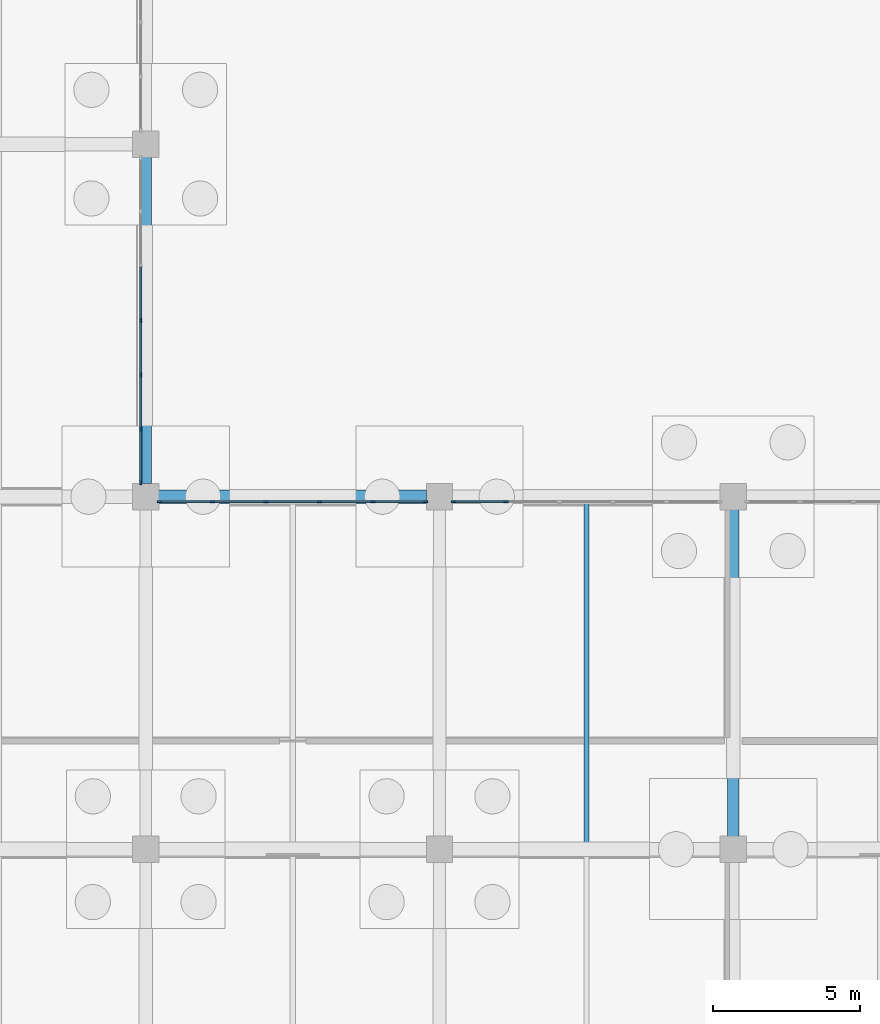
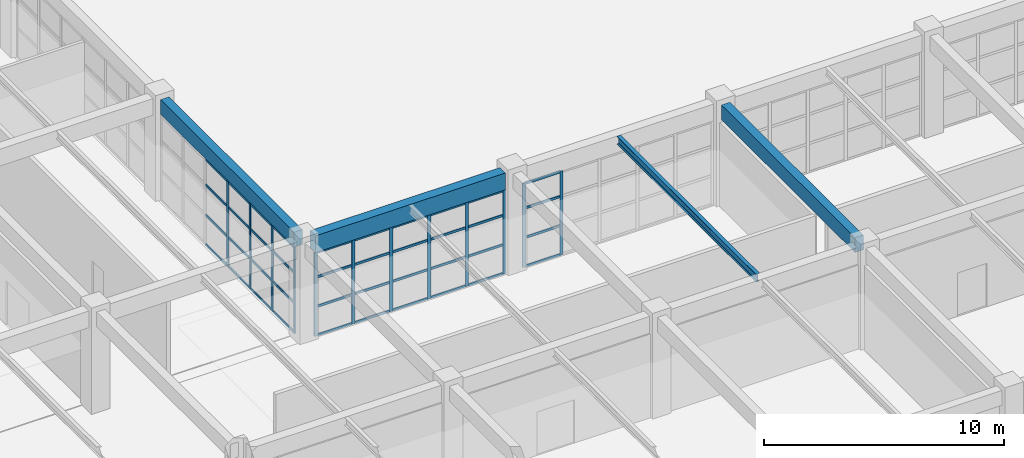
# One storey, part 54 of 99: 52 members, 4 beams, 3 elements without a shape of their own.
"""IFC4 building model written with IfcOpenShell, lengths in metres."""

from ifc_helpers import new_model, si_unit, direction, frame, origin, origin_2d, place, context, subcontext, project, spatial, rectangle, i_section, extrude, material, layer, layer_set, material_profile, profile_set, type_object, element, aggregate, save


model = new_model("IFC4")

# Units and contexts
model_context = context("Model", 3, precision=1e-05, world=origin(), true_north=direction((0.0, 1.0)))
body_context = subcontext(model_context, "Body", "Model", "MODEL_VIEW")
ifc_project = project(units=[si_unit("LENGTHUNIT", "METRE"), si_unit("AREAUNIT", "SQUARE_METRE"), si_unit("VOLUMEUNIT", "CUBIC_METRE"), si_unit("PLANEANGLEUNIT", "RADIAN"), si_unit("MASSUNIT", "GRAM", prefix="KILO")], contexts=[model_context])

# Site, building, storey
site_placement = place(None, origin())
site = spatial("IfcSite", under=ifc_project, at=site_placement, CompositionType="ELEMENT")
building_placement = place(site_placement, origin())
building = spatial("IfcBuilding", under=site, at=building_placement, Name="Kivolera Central Railway Station", CompositionType="ELEMENT")
storey_placement = place(building_placement, origin())
storey = spatial("IfcBuildingStorey", under=building, at=storey_placement, Name="L00", CompositionType="ELEMENT", Elevation=0.0)

# Beams
ifc_material_1 = material(Name="Steel S355", Category="steel")
ifc_material_profile_1 = material_profile(ifc_material_1, i_section(OverallWidth=0.179931640625, OverallDepth=0.39990234375, WebThickness=0.008544921875, FlangeThickness=0.013427734375, FilletRadius=0.02099609375, at=origin_2d()), Name="IPE 400")
ifc_profile_set_1 = profile_set([ifc_material_profile_1], Name="Steel S355")
beam_type_1 = type_object("IfcBeamType", Name="BM-JST-IPE400", PredefinedType="JOIST", material=ifc_profile_set_1)
beam_1_placement = place(storey_placement, frame((153.0, 66.217041015625, 4.907958984375), z_axis=(0.0, 1.0, 0.0), x_axis=(-1.0, 0.0, 0.0)))
element("IfcBeam", 1, at=beam_1_placement, inside=storey, type_object=beam_type_1, Name="L00 Floor Joist 15-16/F-G", PredefinedType="JOIST", context=body_context, shape_type="SweptSolid", body=[
    extrude(i_section(OverallWidth=0.179931640625, OverallDepth=0.39990234375, WebThickness=0.008544921875, FlangeThickness=0.013427734375, FilletRadius=0.02099609375, at=origin_2d()), origin(), (0.0, 0.0, 1.0), 11.56591796875),
])
ifc_material_2 = material(Name="Concrete C40/50", Category="concrete")
ifc_material_profile_2 = material_profile(ifc_material_2, rectangle(XDim=0.39990234375, YDim=0.75, at=origin_2d()), Name="RC 400x750")
ifc_profile_set_2 = profile_set([ifc_material_profile_2], Name="Concrete C40/50")
beam_type_2 = type_object("IfcBeamType", Name="BM-RC-400x750", PredefinedType="BEAM", material=ifc_profile_set_2)
for number, where, z_axis, x_axis, name in (
    (2, (138.0, 78.44189453125, 4.7451171875), (0.0, 1.0, 0.0), (-1.0, 0.0, 0.0), "L00 Wing Y-Beam 14:G-H"),
    (3, (158.0, 66.44189453125, 4.7451171875), (0.0, 1.0, 0.0), (-1.0, 0.0, 0.0), "L00 Wing Y-Beam 16:F-G"),
):
    element("IfcBeam", number, at=place(storey_placement, frame(where, z_axis=z_axis, x_axis=x_axis)), inside=storey, type_object=beam_type_2, Name=name, PredefinedType="BEAM", context=body_context, shape_type="SweptSolid", body=[
        extrude(rectangle(XDim=0.39990234375, YDim=0.75, at=origin_2d()), origin(), (0.0, 0.0, 1.0), 11.1162109375),
    ])
ifc_material_profile_3 = material_profile(ifc_material_2, rectangle(XDim=0.449951171875, YDim=0.85009765625, at=origin_2d()), Name="RC 450x850")
ifc_profile_set_3 = profile_set([ifc_material_profile_3], Name="Concrete C40/50")
beam_type_3 = type_object("IfcBeamType", Name="BM-RC-450x850", PredefinedType="BEAM", material=ifc_profile_set_3)
beam_2_placement = place(storey_placement, frame((138.44189453125, 78.0, 4.695068359375), z_axis=(1.0, 0.0, 0.0), x_axis=(0.0, 1.0, 0.0)))
element("IfcBeam", 4, at=beam_2_placement, inside=storey, type_object=beam_type_3, Name="L00 Wing X-Beam G:14-15", PredefinedType="BEAM", context=body_context, shape_type="SweptSolid", body=[
    extrude(rectangle(XDim=0.449951171875, YDim=0.85009765625, at=origin_2d()), origin(), (0.0, 0.0, 1.0), 9.1162109375),
])

# Curtain wall, members
ifc_material_3 = material(Name="Anodised aluminium", Category="aluminium")
ifc_layer_1 = layer(ifc_material_3, 0.179931640625, Name="Anodised aluminium")
ifc_layer_set_1 = layer_set([ifc_layer_1], Name="Anodised aluminium")
curtain_wall_type_1 = type_object("IfcCurtainWallType", Name="CW-SYS-22", PredefinedType="NOTDEFINED", material=ifc_layer_set_1)
curtain_wall_1_placement = place(storey_placement, origin())
curtain_wall_1 = element("IfcCurtainWall", 5, at=curtain_wall_1_placement, inside=storey, type_object=curtain_wall_type_1, Name="L00 Curtain Wall CW-L00-CRTW-G", PredefinedType="NOTDEFINED")
ifc_material_profile_4 = material_profile(ifc_material_3, rectangle(XDim=0.06005859375, YDim=0.14990234375, at=origin_2d()), Name="ALU MULL 60x150")
ifc_profile_set_4 = profile_set([ifc_material_profile_4], Name="Anodised aluminium")
member_type_1 = type_object("IfcMemberType", Name="CWM-MUL-2", PredefinedType="MULLION", material=ifc_profile_set_4)
member_1_placement = place(storey_placement, frame((137.830078125, 84.0, -0.0048828125), z_axis=(0.0, 0.0, 1.0), x_axis=(1.0, 0.0, 0.0)))
member_1 = element("IfcMember", 6, at=member_1_placement, type_object=member_type_1, Name="CW-22 mullion 4", PredefinedType="MULLION", context=body_context, shape_type="SweptSolid", body=[
    extrude(rectangle(XDim=0.06005859375, YDim=0.14990234375, at=origin_2d()), origin(), (0.0, 0.0, 1.0), 4.36279296875),
])
member_2_placement = place(storey_placement, frame((137.830078125, 82.1484375, -0.0048828125), z_axis=(0.0, 0.0, 1.0), x_axis=(1.0, 0.0, 0.0)))
member_2 = element("IfcMember", 7, at=member_2_placement, type_object=member_type_1, Name="CW-22 mullion 5", PredefinedType="MULLION", context=body_context, shape_type="SweptSolid", body=[
    extrude(rectangle(XDim=0.06005859375, YDim=0.14990234375, at=origin_2d()), origin(), (0.0, 0.0, 1.0), 4.36279296875),
])
member_3_placement = place(storey_placement, frame((137.830078125, 80.296630859375, -0.0048828125), z_axis=(0.0, 0.0, 1.0), x_axis=(1.0, 0.0, 0.0)))
member_3 = element("IfcMember", 8, at=member_3_placement, type_object=member_type_1, Name="CW-22 mullion 6", PredefinedType="MULLION", context=body_context, shape_type="SweptSolid", body=[
    extrude(rectangle(XDim=0.06005859375, YDim=0.14990234375, at=origin_2d()), origin(), (0.0, 0.0, 1.0), 4.36279296875),
])
member_4_placement = place(storey_placement, frame((137.830078125, 78.47509765625, -0.0048828125), z_axis=(0.0, 0.0, 1.0), x_axis=(1.0, 0.0, 0.0)))
member_4 = element("IfcMember", 9, at=member_4_placement, type_object=member_type_1, Name="CW-22 mullion 7", PredefinedType="MULLION", context=body_context, shape_type="SweptSolid", body=[
    extrude(rectangle(XDim=0.06005859375, YDim=0.14990234375, at=origin_2d()), origin(), (0.0, 0.0, 1.0), 4.36279296875),
])

ifc_layer_2 = layer(ifc_material_3, 0.179931640625, Name="Anodised aluminium")
ifc_layer_set_2 = layer_set([ifc_layer_2], Name="Anodised aluminium")
curtain_wall_type_2 = type_object("IfcCurtainWallType", Name="CW-SYS-21", PredefinedType="NOTDEFINED", material=ifc_layer_set_2)
curtain_wall_2_placement = place(storey_placement, origin())
curtain_wall_2 = element("IfcCurtainWall", 10, at=curtain_wall_2_placement, inside=storey, type_object=curtain_wall_type_2, Name="L00 Curtain Wall CW-L00-CRTS-138", PredefinedType="NOTDEFINED")
member_5_placement = place(storey_placement, frame((138.47509765625, 77.830078125, -0.0048828125), z_axis=(0.0, 0.0, 1.0), x_axis=(0.0, 1.0, 0.0)))
member_5 = element("IfcMember", 11, at=member_5_placement, type_object=member_type_1, Name="CW-21 mullion 1", PredefinedType="MULLION", context=body_context, shape_type="SweptSolid", body=[
    extrude(rectangle(XDim=0.06005859375, YDim=0.14990234375, at=origin_2d()), origin(), (0.0, 0.0, 1.0), 4.262939453125),
])
member_6_placement = place(storey_placement, frame((140.26708984375, 77.830078125, -0.0048828125), z_axis=(0.0, 0.0, 1.0), x_axis=(0.0, 1.0, 0.0)))
member_6 = element("IfcMember", 12, at=member_6_placement, type_object=member_type_1, Name="CW-21 mullion 2", PredefinedType="MULLION", context=body_context, shape_type="SweptSolid", body=[
    extrude(rectangle(XDim=0.06005859375, YDim=0.14990234375, at=origin_2d()), origin(), (0.0, 0.0, 1.0), 4.262939453125),
])
member_7_placement = place(storey_placement, frame((142.089111328125, 77.830078125, -0.0048828125), z_axis=(0.0, 0.0, 1.0), x_axis=(0.0, 1.0, 0.0)))
member_7 = element("IfcMember", 13, at=member_7_placement, type_object=member_type_1, Name="CW-21 mullion 3", PredefinedType="MULLION", context=body_context, shape_type="SweptSolid", body=[
    extrude(rectangle(XDim=0.06005859375, YDim=0.14990234375, at=origin_2d()), origin(), (0.0, 0.0, 1.0), 4.262939453125),
])
member_8_placement = place(storey_placement, frame((143.910888671875, 77.830078125, -0.0048828125), z_axis=(0.0, 0.0, 1.0), x_axis=(0.0, 1.0, 0.0)))
member_8 = element("IfcMember", 14, at=member_8_placement, type_object=member_type_1, Name="CW-21 mullion 4", PredefinedType="MULLION", context=body_context, shape_type="SweptSolid", body=[
    extrude(rectangle(XDim=0.06005859375, YDim=0.14990234375, at=origin_2d()), origin(), (0.0, 0.0, 1.0), 4.262939453125),
])
member_9_placement = place(storey_placement, frame((145.73291015625, 77.830078125, -0.0048828125), z_axis=(0.0, 0.0, 1.0), x_axis=(0.0, 1.0, 0.0)))
member_9 = element("IfcMember", 15, at=member_9_placement, type_object=member_type_1, Name="CW-21 mullion 5", PredefinedType="MULLION", context=body_context, shape_type="SweptSolid", body=[
    extrude(rectangle(XDim=0.06005859375, YDim=0.14990234375, at=origin_2d()), origin(), (0.0, 0.0, 1.0), 4.262939453125),
])
member_10_placement = place(storey_placement, frame((147.52490234375, 77.830078125, -0.0048828125), z_axis=(0.0, 0.0, 1.0), x_axis=(0.0, 1.0, 0.0)))
member_10 = element("IfcMember", 16, at=member_10_placement, type_object=member_type_1, Name="CW-21 mullion 6", PredefinedType="MULLION", context=body_context, shape_type="SweptSolid", body=[
    extrude(rectangle(XDim=0.06005859375, YDim=0.14990234375, at=origin_2d()), origin(), (0.0, 0.0, 1.0), 4.262939453125),
])

curtain_wall_3_placement = place(storey_placement, origin())
curtain_wall_3 = element("IfcCurtainWall", 17, at=curtain_wall_3_placement, inside=storey, type_object=curtain_wall_type_2, Name="L00 Curtain Wall CW-L00-CRTS-148", PredefinedType="NOTDEFINED")
member_11_placement = place(storey_placement, frame((148.47509765625, 77.830078125, -0.0048828125), z_axis=(0.0, 0.0, 1.0), x_axis=(0.0, 1.0, 0.0)))
member_11 = element("IfcMember", 18, at=member_11_placement, type_object=member_type_1, Name="CW-21 mullion 1", PredefinedType="MULLION", context=body_context, shape_type="SweptSolid", body=[
    extrude(rectangle(XDim=0.06005859375, YDim=0.14990234375, at=origin_2d()), origin(), (0.0, 0.0, 1.0), 4.262939453125),
])
member_12_placement = place(storey_placement, frame((150.26708984375, 77.830078125, -0.0048828125), z_axis=(0.0, 0.0, 1.0), x_axis=(0.0, 1.0, 0.0)))
member_12 = element("IfcMember", 19, at=member_12_placement, type_object=member_type_1, Name="CW-21 mullion 2", PredefinedType="MULLION", context=body_context, shape_type="SweptSolid", body=[
    extrude(rectangle(XDim=0.06005859375, YDim=0.14990234375, at=origin_2d()), origin(), (0.0, 0.0, 1.0), 4.262939453125),
])

# Member
ifc_material_profile_5 = material_profile(ifc_material_3, rectangle(XDim=0.06005859375, YDim=0.1201171875, at=origin_2d()), Name="ALU TRAN 60x120")
ifc_profile_set_5 = profile_set([ifc_material_profile_5], Name="Anodised aluminium")
member_type_2 = type_object("IfcMemberType", Name="CWM-TRN-2", PredefinedType="USERDEFINED", material=ifc_profile_set_5)
member_13_placement = place(storey_placement, frame((137.830078125, 85.82177734375, 0.030029296875), z_axis=(0.0, -1.0, 0.0), x_axis=(1.0, 0.0, 0.0)))
member_13 = element("IfcMember", 20, at=member_13_placement, type_object=member_type_2, Name="CW-22 transom 3.1", ObjectType="TRANSOM", PredefinedType="USERDEFINED", context=body_context, shape_type="SweptSolid", body=[
    extrude(rectangle(XDim=0.06005859375, YDim=0.1201171875, at=origin_2d()), origin(), (0.0, 0.0, 1.0), 1.791748046875),
])

member_14_placement = place(storey_placement, frame((137.830078125, 85.82177734375, 1.525390625), z_axis=(0.0, -1.0, 0.0), x_axis=(1.0, 0.0, 0.0)))
member_14 = element("IfcMember", 21, at=member_14_placement, type_object=member_type_2, Name="CW-22 transom 3.2", ObjectType="TRANSOM", PredefinedType="USERDEFINED", context=body_context, shape_type="SweptSolid", body=[
    extrude(rectangle(XDim=0.06005859375, YDim=0.1201171875, at=origin_2d()), origin(), (0.0, 0.0, 1.0), 1.791748046875),
])

member_15_placement = place(storey_placement, frame((137.830078125, 85.82177734375, 3.050537109375), z_axis=(0.0, -1.0, 0.0), x_axis=(1.0, 0.0, 0.0)))
member_15 = element("IfcMember", 22, at=member_15_placement, type_object=member_type_2, Name="CW-22 transom 3.3", ObjectType="TRANSOM", PredefinedType="USERDEFINED", context=body_context, shape_type="SweptSolid", body=[
    extrude(rectangle(XDim=0.06005859375, YDim=0.1201171875, at=origin_2d()), origin(), (0.0, 0.0, 1.0), 1.791748046875),
])

member_16_placement = place(storey_placement, frame((137.830078125, 85.82177734375, 4.327880859375), z_axis=(0.0, -1.0, 0.0), x_axis=(1.0, 0.0, 0.0)))
member_16 = element("IfcMember", 23, at=member_16_placement, type_object=member_type_2, Name="CW-22 transom 3.4", ObjectType="TRANSOM", PredefinedType="USERDEFINED", context=body_context, shape_type="SweptSolid", body=[
    extrude(rectangle(XDim=0.06005859375, YDim=0.1201171875, at=origin_2d()), origin(), (0.0, 0.0, 1.0), 1.791748046875),
])

member_17_placement = place(storey_placement, frame((137.830078125, 83.969970703125, 0.030029296875), z_axis=(0.0, -1.0, 0.0), x_axis=(1.0, 0.0, 0.0)))
member_17 = element("IfcMember", 24, at=member_17_placement, type_object=member_type_2, Name="CW-22 transom 4.1", ObjectType="TRANSOM", PredefinedType="USERDEFINED", context=body_context, shape_type="SweptSolid", body=[
    extrude(rectangle(XDim=0.06005859375, YDim=0.1201171875, at=origin_2d()), origin(), (0.0, 0.0, 1.0), 1.791748046875),
])

member_18_placement = place(storey_placement, frame((137.830078125, 83.969970703125, 1.525390625), z_axis=(0.0, -1.0, 0.0), x_axis=(1.0, 0.0, 0.0)))
member_18 = element("IfcMember", 25, at=member_18_placement, type_object=member_type_2, Name="CW-22 transom 4.2", ObjectType="TRANSOM", PredefinedType="USERDEFINED", context=body_context, shape_type="SweptSolid", body=[
    extrude(rectangle(XDim=0.06005859375, YDim=0.1201171875, at=origin_2d()), origin(), (0.0, 0.0, 1.0), 1.791748046875),
])

member_19_placement = place(storey_placement, frame((137.830078125, 83.969970703125, 3.050537109375), z_axis=(0.0, -1.0, 0.0), x_axis=(1.0, 0.0, 0.0)))
member_19 = element("IfcMember", 26, at=member_19_placement, type_object=member_type_2, Name="CW-22 transom 4.3", ObjectType="TRANSOM", PredefinedType="USERDEFINED", context=body_context, shape_type="SweptSolid", body=[
    extrude(rectangle(XDim=0.06005859375, YDim=0.1201171875, at=origin_2d()), origin(), (0.0, 0.0, 1.0), 1.791748046875),
])

member_20_placement = place(storey_placement, frame((137.830078125, 83.969970703125, 4.327880859375), z_axis=(0.0, -1.0, 0.0), x_axis=(1.0, 0.0, 0.0)))
member_20 = element("IfcMember", 27, at=member_20_placement, type_object=member_type_2, Name="CW-22 transom 4.4", ObjectType="TRANSOM", PredefinedType="USERDEFINED", context=body_context, shape_type="SweptSolid", body=[
    extrude(rectangle(XDim=0.06005859375, YDim=0.1201171875, at=origin_2d()), origin(), (0.0, 0.0, 1.0), 1.791748046875),
])

member_21_placement = place(storey_placement, frame((137.830078125, 82.118408203125, 0.030029296875), z_axis=(0.0, -1.0, 0.0), x_axis=(1.0, 0.0, 0.0)))
member_21 = element("IfcMember", 28, at=member_21_placement, type_object=member_type_2, Name="CW-22 transom 5.1", ObjectType="TRANSOM", PredefinedType="USERDEFINED", context=body_context, shape_type="SweptSolid", body=[
    extrude(rectangle(XDim=0.06005859375, YDim=0.1201171875, at=origin_2d()), origin(), (0.0, 0.0, 1.0), 1.791748046875),
])

member_22_placement = place(storey_placement, frame((137.830078125, 82.118408203125, 1.525390625), z_axis=(0.0, -1.0, 0.0), x_axis=(1.0, 0.0, 0.0)))
member_22 = element("IfcMember", 29, at=member_22_placement, type_object=member_type_2, Name="CW-22 transom 5.2", ObjectType="TRANSOM", PredefinedType="USERDEFINED", context=body_context, shape_type="SweptSolid", body=[
    extrude(rectangle(XDim=0.06005859375, YDim=0.1201171875, at=origin_2d()), origin(), (0.0, 0.0, 1.0), 1.791748046875),
])

member_23_placement = place(storey_placement, frame((137.830078125, 82.118408203125, 3.050537109375), z_axis=(0.0, -1.0, 0.0), x_axis=(1.0, 0.0, 0.0)))
member_23 = element("IfcMember", 30, at=member_23_placement, type_object=member_type_2, Name="CW-22 transom 5.3", ObjectType="TRANSOM", PredefinedType="USERDEFINED", context=body_context, shape_type="SweptSolid", body=[
    extrude(rectangle(XDim=0.06005859375, YDim=0.1201171875, at=origin_2d()), origin(), (0.0, 0.0, 1.0), 1.791748046875),
])

member_24_placement = place(storey_placement, frame((137.830078125, 82.118408203125, 4.327880859375), z_axis=(0.0, -1.0, 0.0), x_axis=(1.0, 0.0, 0.0)))
member_24 = element("IfcMember", 31, at=member_24_placement, type_object=member_type_2, Name="CW-22 transom 5.4", ObjectType="TRANSOM", PredefinedType="USERDEFINED", context=body_context, shape_type="SweptSolid", body=[
    extrude(rectangle(XDim=0.06005859375, YDim=0.1201171875, at=origin_2d()), origin(), (0.0, 0.0, 1.0), 1.791748046875),
])

member_25_placement = place(storey_placement, frame((137.830078125, 80.2666015625, 0.030029296875), z_axis=(0.0, -1.0, 0.0), x_axis=(1.0, 0.0, 0.0)))
member_25 = element("IfcMember", 32, at=member_25_placement, type_object=member_type_2, Name="CW-22 transom 6.1", ObjectType="TRANSOM", PredefinedType="USERDEFINED", context=body_context, shape_type="SweptSolid", body=[
    extrude(rectangle(XDim=0.06005859375, YDim=0.1201171875, at=origin_2d()), origin(), (0.0, 0.0, 1.0), 1.76171875),
])

member_26_placement = place(storey_placement, frame((137.830078125, 80.2666015625, 1.525390625), z_axis=(0.0, -1.0, 0.0), x_axis=(1.0, 0.0, 0.0)))
member_26 = element("IfcMember", 33, at=member_26_placement, type_object=member_type_2, Name="CW-22 transom 6.2", ObjectType="TRANSOM", PredefinedType="USERDEFINED", context=body_context, shape_type="SweptSolid", body=[
    extrude(rectangle(XDim=0.06005859375, YDim=0.1201171875, at=origin_2d()), origin(), (0.0, 0.0, 1.0), 1.76171875),
])

member_27_placement = place(storey_placement, frame((137.830078125, 80.2666015625, 3.050537109375), z_axis=(0.0, -1.0, 0.0), x_axis=(1.0, 0.0, 0.0)))
member_27 = element("IfcMember", 34, at=member_27_placement, type_object=member_type_2, Name="CW-22 transom 6.3", ObjectType="TRANSOM", PredefinedType="USERDEFINED", context=body_context, shape_type="SweptSolid", body=[
    extrude(rectangle(XDim=0.06005859375, YDim=0.1201171875, at=origin_2d()), origin(), (0.0, 0.0, 1.0), 1.76171875),
])

member_28_placement = place(storey_placement, frame((137.830078125, 80.2666015625, 4.327880859375), z_axis=(0.0, -1.0, 0.0), x_axis=(1.0, 0.0, 0.0)))
member_28 = element("IfcMember", 35, at=member_28_placement, type_object=member_type_2, Name="CW-22 transom 6.4", ObjectType="TRANSOM", PredefinedType="USERDEFINED", context=body_context, shape_type="SweptSolid", body=[
    extrude(rectangle(XDim=0.06005859375, YDim=0.1201171875, at=origin_2d()), origin(), (0.0, 0.0, 1.0), 1.76171875),
])

aggregate(curtain_wall_1, [member_1, member_2, member_3, member_4, member_13, member_14, member_15, member_16, member_17, member_18, member_19, member_20, member_21, member_22, member_23, member_24, member_25, member_26, member_27, member_28])

member_29_placement = place(storey_placement, frame((138.5048828125, 77.830078125, 0.030029296875), z_axis=(1.0, 0.0, 0.0), x_axis=(0.0, 1.0, 0.0)))
member_29 = element("IfcMember", 36, at=member_29_placement, type_object=member_type_2, Name="CW-21 transom 1.1", ObjectType="TRANSOM", PredefinedType="USERDEFINED", context=body_context, shape_type="SweptSolid", body=[
    extrude(rectangle(XDim=0.06005859375, YDim=0.1201171875, at=origin_2d()), origin(), (0.0, 0.0, 1.0), 1.732177734375),
])

member_30_placement = place(storey_placement, frame((138.5048828125, 77.830078125, 1.490234375), z_axis=(1.0, 0.0, 0.0), x_axis=(0.0, 1.0, 0.0)))
member_30 = element("IfcMember", 37, at=member_30_placement, type_object=member_type_2, Name="CW-21 transom 1.2", ObjectType="TRANSOM", PredefinedType="USERDEFINED", context=body_context, shape_type="SweptSolid", body=[
    extrude(rectangle(XDim=0.06005859375, YDim=0.1201171875, at=origin_2d()), origin(), (0.0, 0.0, 1.0), 1.732177734375),
])

member_31_placement = place(storey_placement, frame((138.5048828125, 77.830078125, 2.980712890625), z_axis=(1.0, 0.0, 0.0), x_axis=(0.0, 1.0, 0.0)))
member_31 = element("IfcMember", 38, at=member_31_placement, type_object=member_type_2, Name="CW-21 transom 1.3", ObjectType="TRANSOM", PredefinedType="USERDEFINED", context=body_context, shape_type="SweptSolid", body=[
    extrude(rectangle(XDim=0.06005859375, YDim=0.1201171875, at=origin_2d()), origin(), (0.0, 0.0, 1.0), 1.732177734375),
])

member_32_placement = place(storey_placement, frame((138.5048828125, 77.830078125, 4.22802734375), z_axis=(1.0, 0.0, 0.0), x_axis=(0.0, 1.0, 0.0)))
member_32 = element("IfcMember", 39, at=member_32_placement, type_object=member_type_2, Name="CW-21 transom 1.4", ObjectType="TRANSOM", PredefinedType="USERDEFINED", context=body_context, shape_type="SweptSolid", body=[
    extrude(rectangle(XDim=0.06005859375, YDim=0.1201171875, at=origin_2d()), origin(), (0.0, 0.0, 1.0), 1.732177734375),
])

member_33_placement = place(storey_placement, frame((140.297119140625, 77.830078125, 0.030029296875), z_axis=(1.0, 0.0, 0.0), x_axis=(0.0, 1.0, 0.0)))
member_33 = element("IfcMember", 40, at=member_33_placement, type_object=member_type_2, Name="CW-21 transom 2.1", ObjectType="TRANSOM", PredefinedType="USERDEFINED", context=body_context, shape_type="SweptSolid", body=[
    extrude(rectangle(XDim=0.06005859375, YDim=0.1201171875, at=origin_2d()), origin(), (0.0, 0.0, 1.0), 1.761962890625),
])

member_34_placement = place(storey_placement, frame((140.297119140625, 77.830078125, 1.490234375), z_axis=(1.0, 0.0, 0.0), x_axis=(0.0, 1.0, 0.0)))
member_34 = element("IfcMember", 41, at=member_34_placement, type_object=member_type_2, Name="CW-21 transom 2.2", ObjectType="TRANSOM", PredefinedType="USERDEFINED", context=body_context, shape_type="SweptSolid", body=[
    extrude(rectangle(XDim=0.06005859375, YDim=0.1201171875, at=origin_2d()), origin(), (0.0, 0.0, 1.0), 1.761962890625),
])

member_35_placement = place(storey_placement, frame((140.297119140625, 77.830078125, 2.980712890625), z_axis=(1.0, 0.0, 0.0), x_axis=(0.0, 1.0, 0.0)))
member_35 = element("IfcMember", 42, at=member_35_placement, type_object=member_type_2, Name="CW-21 transom 2.3", ObjectType="TRANSOM", PredefinedType="USERDEFINED", context=body_context, shape_type="SweptSolid", body=[
    extrude(rectangle(XDim=0.06005859375, YDim=0.1201171875, at=origin_2d()), origin(), (0.0, 0.0, 1.0), 1.761962890625),
])

member_36_placement = place(storey_placement, frame((140.297119140625, 77.830078125, 4.22802734375), z_axis=(1.0, 0.0, 0.0), x_axis=(0.0, 1.0, 0.0)))
member_36 = element("IfcMember", 43, at=member_36_placement, type_object=member_type_2, Name="CW-21 transom 2.4", ObjectType="TRANSOM", PredefinedType="USERDEFINED", context=body_context, shape_type="SweptSolid", body=[
    extrude(rectangle(XDim=0.06005859375, YDim=0.1201171875, at=origin_2d()), origin(), (0.0, 0.0, 1.0), 1.761962890625),
])

member_37_placement = place(storey_placement, frame((142.118896484375, 77.830078125, 0.030029296875), z_axis=(1.0, 0.0, 0.0), x_axis=(0.0, 1.0, 0.0)))
member_37 = element("IfcMember", 44, at=member_37_placement, type_object=member_type_2, Name="CW-21 transom 3.1", ObjectType="TRANSOM", PredefinedType="USERDEFINED", context=body_context, shape_type="SweptSolid", body=[
    extrude(rectangle(XDim=0.06005859375, YDim=0.1201171875, at=origin_2d()), origin(), (0.0, 0.0, 1.0), 1.76220703125),
])

member_38_placement = place(storey_placement, frame((142.118896484375, 77.830078125, 1.490234375), z_axis=(1.0, 0.0, 0.0), x_axis=(0.0, 1.0, 0.0)))
member_38 = element("IfcMember", 45, at=member_38_placement, type_object=member_type_2, Name="CW-21 transom 3.2", ObjectType="TRANSOM", PredefinedType="USERDEFINED", context=body_context, shape_type="SweptSolid", body=[
    extrude(rectangle(XDim=0.06005859375, YDim=0.1201171875, at=origin_2d()), origin(), (0.0, 0.0, 1.0), 1.76220703125),
])

member_39_placement = place(storey_placement, frame((142.118896484375, 77.830078125, 2.980712890625), z_axis=(1.0, 0.0, 0.0), x_axis=(0.0, 1.0, 0.0)))
member_39 = element("IfcMember", 46, at=member_39_placement, type_object=member_type_2, Name="CW-21 transom 3.3", ObjectType="TRANSOM", PredefinedType="USERDEFINED", context=body_context, shape_type="SweptSolid", body=[
    extrude(rectangle(XDim=0.06005859375, YDim=0.1201171875, at=origin_2d()), origin(), (0.0, 0.0, 1.0), 1.76220703125),
])

member_40_placement = place(storey_placement, frame((142.118896484375, 77.830078125, 4.22802734375), z_axis=(1.0, 0.0, 0.0), x_axis=(0.0, 1.0, 0.0)))
member_40 = element("IfcMember", 47, at=member_40_placement, type_object=member_type_2, Name="CW-21 transom 3.4", ObjectType="TRANSOM", PredefinedType="USERDEFINED", context=body_context, shape_type="SweptSolid", body=[
    extrude(rectangle(XDim=0.06005859375, YDim=0.1201171875, at=origin_2d()), origin(), (0.0, 0.0, 1.0), 1.76220703125),
])

member_41_placement = place(storey_placement, frame((143.94091796875, 77.830078125, 0.030029296875), z_axis=(1.0, 0.0, 0.0), x_axis=(0.0, 1.0, 0.0)))
member_41 = element("IfcMember", 48, at=member_41_placement, type_object=member_type_2, Name="CW-21 transom 4.1", ObjectType="TRANSOM", PredefinedType="USERDEFINED", context=body_context, shape_type="SweptSolid", body=[
    extrude(rectangle(XDim=0.06005859375, YDim=0.1201171875, at=origin_2d()), origin(), (0.0, 0.0, 1.0), 1.761962890625),
])

member_42_placement = place(storey_placement, frame((143.94091796875, 77.830078125, 1.490234375), z_axis=(1.0, 0.0, 0.0), x_axis=(0.0, 1.0, 0.0)))
member_42 = element("IfcMember", 49, at=member_42_placement, type_object=member_type_2, Name="CW-21 transom 4.2", ObjectType="TRANSOM", PredefinedType="USERDEFINED", context=body_context, shape_type="SweptSolid", body=[
    extrude(rectangle(XDim=0.06005859375, YDim=0.1201171875, at=origin_2d()), origin(), (0.0, 0.0, 1.0), 1.761962890625),
])

member_43_placement = place(storey_placement, frame((143.94091796875, 77.830078125, 2.980712890625), z_axis=(1.0, 0.0, 0.0), x_axis=(0.0, 1.0, 0.0)))
member_43 = element("IfcMember", 50, at=member_43_placement, type_object=member_type_2, Name="CW-21 transom 4.3", ObjectType="TRANSOM", PredefinedType="USERDEFINED", context=body_context, shape_type="SweptSolid", body=[
    extrude(rectangle(XDim=0.06005859375, YDim=0.1201171875, at=origin_2d()), origin(), (0.0, 0.0, 1.0), 1.761962890625),
])

member_44_placement = place(storey_placement, frame((143.94091796875, 77.830078125, 4.22802734375), z_axis=(1.0, 0.0, 0.0), x_axis=(0.0, 1.0, 0.0)))
member_44 = element("IfcMember", 51, at=member_44_placement, type_object=member_type_2, Name="CW-21 transom 4.4", ObjectType="TRANSOM", PredefinedType="USERDEFINED", context=body_context, shape_type="SweptSolid", body=[
    extrude(rectangle(XDim=0.06005859375, YDim=0.1201171875, at=origin_2d()), origin(), (0.0, 0.0, 1.0), 1.761962890625),
])

member_45_placement = place(storey_placement, frame((145.762939453125, 77.830078125, 0.030029296875), z_axis=(1.0, 0.0, 0.0), x_axis=(0.0, 1.0, 0.0)))
member_45 = element("IfcMember", 52, at=member_45_placement, type_object=member_type_2, Name="CW-21 transom 5.1", ObjectType="TRANSOM", PredefinedType="USERDEFINED", context=body_context, shape_type="SweptSolid", body=[
    extrude(rectangle(XDim=0.06005859375, YDim=0.1201171875, at=origin_2d()), origin(), (0.0, 0.0, 1.0), 1.732177734375),
])

member_46_placement = place(storey_placement, frame((145.762939453125, 77.830078125, 1.490234375), z_axis=(1.0, 0.0, 0.0), x_axis=(0.0, 1.0, 0.0)))
member_46 = element("IfcMember", 53, at=member_46_placement, type_object=member_type_2, Name="CW-21 transom 5.2", ObjectType="TRANSOM", PredefinedType="USERDEFINED", context=body_context, shape_type="SweptSolid", body=[
    extrude(rectangle(XDim=0.06005859375, YDim=0.1201171875, at=origin_2d()), origin(), (0.0, 0.0, 1.0), 1.732177734375),
])

member_47_placement = place(storey_placement, frame((145.762939453125, 77.830078125, 2.980712890625), z_axis=(1.0, 0.0, 0.0), x_axis=(0.0, 1.0, 0.0)))
member_47 = element("IfcMember", 54, at=member_47_placement, type_object=member_type_2, Name="CW-21 transom 5.3", ObjectType="TRANSOM", PredefinedType="USERDEFINED", context=body_context, shape_type="SweptSolid", body=[
    extrude(rectangle(XDim=0.06005859375, YDim=0.1201171875, at=origin_2d()), origin(), (0.0, 0.0, 1.0), 1.732177734375),
])

member_48_placement = place(storey_placement, frame((145.762939453125, 77.830078125, 4.22802734375), z_axis=(1.0, 0.0, 0.0), x_axis=(0.0, 1.0, 0.0)))
member_48 = element("IfcMember", 55, at=member_48_placement, type_object=member_type_2, Name="CW-21 transom 5.4", ObjectType="TRANSOM", PredefinedType="USERDEFINED", context=body_context, shape_type="SweptSolid", body=[
    extrude(rectangle(XDim=0.06005859375, YDim=0.1201171875, at=origin_2d()), origin(), (0.0, 0.0, 1.0), 1.732177734375),
])

aggregate(curtain_wall_2, [member_5, member_6, member_7, member_8, member_9, member_10, member_29, member_30, member_31, member_32, member_33, member_34, member_35, member_36, member_37, member_38, member_39, member_40, member_41, member_42, member_43, member_44, member_45, member_46, member_47, member_48])

member_49_placement = place(storey_placement, frame((148.5048828125, 77.830078125, 0.030029296875), z_axis=(1.0, 0.0, 0.0), x_axis=(0.0, 1.0, 0.0)))
member_49 = element("IfcMember", 56, at=member_49_placement, type_object=member_type_2, Name="CW-21 transom 1.1", ObjectType="TRANSOM", PredefinedType="USERDEFINED", context=body_context, shape_type="SweptSolid", body=[
    extrude(rectangle(XDim=0.06005859375, YDim=0.1201171875, at=origin_2d()), origin(), (0.0, 0.0, 1.0), 1.732177734375),
])

member_50_placement = place(storey_placement, frame((148.5048828125, 77.830078125, 1.490234375), z_axis=(1.0, 0.0, 0.0), x_axis=(0.0, 1.0, 0.0)))
member_50 = element("IfcMember", 57, at=member_50_placement, type_object=member_type_2, Name="CW-21 transom 1.2", ObjectType="TRANSOM", PredefinedType="USERDEFINED", context=body_context, shape_type="SweptSolid", body=[
    extrude(rectangle(XDim=0.06005859375, YDim=0.1201171875, at=origin_2d()), origin(), (0.0, 0.0, 1.0), 1.732177734375),
])

member_51_placement = place(storey_placement, frame((148.5048828125, 77.830078125, 2.980712890625), z_axis=(1.0, 0.0, 0.0), x_axis=(0.0, 1.0, 0.0)))
member_51 = element("IfcMember", 58, at=member_51_placement, type_object=member_type_2, Name="CW-21 transom 1.3", ObjectType="TRANSOM", PredefinedType="USERDEFINED", context=body_context, shape_type="SweptSolid", body=[
    extrude(rectangle(XDim=0.06005859375, YDim=0.1201171875, at=origin_2d()), origin(), (0.0, 0.0, 1.0), 1.732177734375),
])

member_52_placement = place(storey_placement, frame((148.5048828125, 77.830078125, 4.22802734375), z_axis=(1.0, 0.0, 0.0), x_axis=(0.0, 1.0, 0.0)))
member_52 = element("IfcMember", 59, at=member_52_placement, type_object=member_type_2, Name="CW-21 transom 1.4", ObjectType="TRANSOM", PredefinedType="USERDEFINED", context=body_context, shape_type="SweptSolid", body=[
    extrude(rectangle(XDim=0.06005859375, YDim=0.1201171875, at=origin_2d()), origin(), (0.0, 0.0, 1.0), 1.732177734375),
])

aggregate(curtain_wall_3, [member_11, member_12, member_49, member_50, member_51, member_52])

save(model, "model.ifc")
